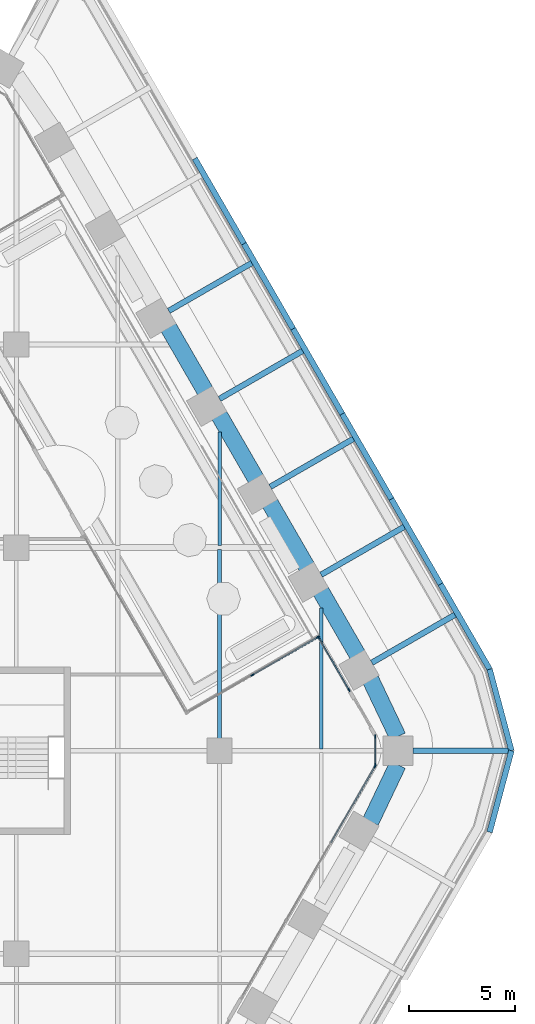
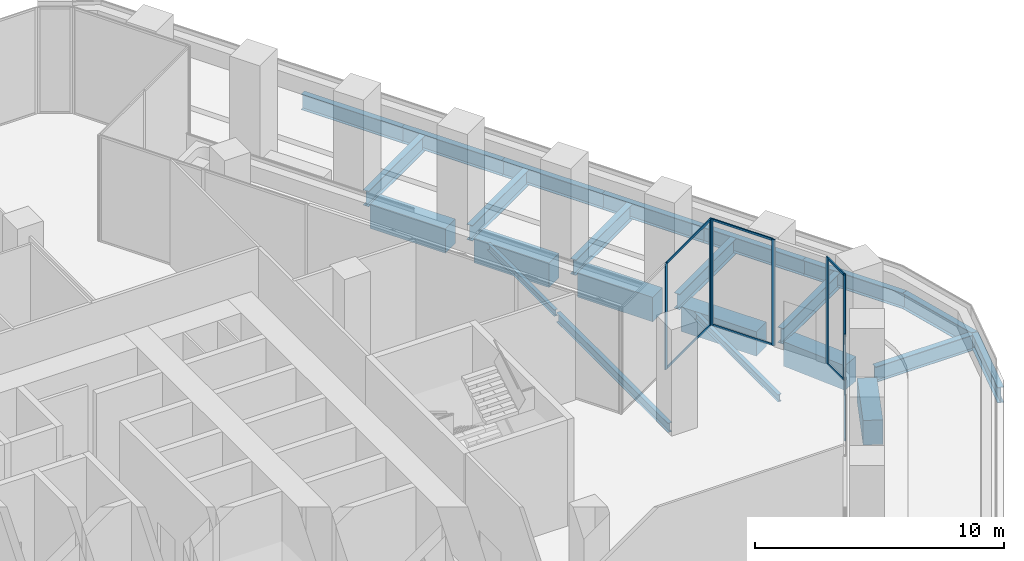
# One storey, part 14 of 32: 23 beams, 15 members, 4 elements without a shape of their own.
"""IFC4 building model written with IfcOpenShell, lengths in metres."""

from ifc_helpers import new_model, si_unit, direction, frame, origin, origin_2d, place, context, subcontext, project, spatial, rectangle, i_section, extrude, material, material_profile, profile_set, type_object, element, aggregate, save


model = new_model("IFC4")

# Units and contexts
model_context = context("Model", 3, precision=1e-05, world=origin(), true_north=direction((0.0, 1.0)))
body_context = subcontext(model_context, "Body", "Model", "MODEL_VIEW")
ifc_project = project(units=[si_unit("LENGTHUNIT", "METRE"), si_unit("AREAUNIT", "SQUARE_METRE"), si_unit("VOLUMEUNIT", "CUBIC_METRE"), si_unit("PLANEANGLEUNIT", "RADIAN"), si_unit("MASSUNIT", "GRAM", prefix="KILO")], contexts=[model_context])

# Site, building, storey
site_placement = place(None, origin())
site = spatial("IfcSite", under=ifc_project, at=site_placement, CompositionType="ELEMENT")
building_placement = place(site_placement, origin())
building = spatial("IfcBuilding", under=site, at=building_placement, Name="Kolab Exchange Tower", CompositionType="ELEMENT")
storey_placement = place(building_placement, frame((0.0, 0.0, 60.89990234375)))
storey = spatial("IfcBuildingStorey", under=building, at=storey_placement, Name="L11", CompositionType="ELEMENT", Elevation=60.89990234375)

# Beams
ifc_material_1 = material(Name="Steel S355", Category="steel")
ifc_material_profile_1 = material_profile(ifc_material_1, i_section(OverallWidth=0.1650390625, OverallDepth=0.31005859375, WebThickness=0.005859375, FlangeThickness=0.009765625, at=origin_2d()), Name="W310X39")
ifc_profile_set_1 = profile_set([ifc_material_profile_1], Name="Steel S355")
beam_type_1 = type_object("IfcBeamType", Name="FLOOR BEAM W310X39", PredefinedType="BEAM", material=ifc_profile_set_1)
beam_1_placement = place(storey_placement, frame((28.800048828125, 9.693603515625, -0.40478515625), z_axis=(0.0, 1.0, 0.0), x_axis=(-1.0, 0.0, 0.0)))
element("IfcBeam", 1, at=beam_1_placement, inside=storey, type_object=beam_type_1, Name="beam/L11/fr/061", PredefinedType="BEAM", context=body_context, shape_type="SweptSolid", body=[
    extrude(i_section(OverallWidth=0.1650390625, OverallDepth=0.31005859375, WebThickness=0.005859375, FlangeThickness=0.009765625, at=origin_2d()), origin(), (0.0, 0.0, 1.0), 5.3740234375),
])
ifc_material_profile_2 = material_profile(ifc_material_1, i_section(OverallWidth=0.1708984375, OverallDepth=0.35498046875, WebThickness=0.007080078125, FlangeThickness=0.01171875, at=origin_2d()), Name="W360X51")
ifc_profile_set_2 = profile_set([ifc_material_profile_2], Name="Steel S355")
beam_type_2 = type_object("IfcBeamType", Name="FLOOR BEAM W360X51", PredefinedType="BEAM", material=ifc_profile_set_2)
beam_2_placement = place(storey_placement, frame((33.60009765625, 0.073974609375, -0.427490234375), z_axis=(0.0, 1.0, 0.0), x_axis=(-1.0, 0.0, 0.0)))
element("IfcBeam", 2, at=beam_2_placement, inside=storey, type_object=beam_type_2, Name="beam/L11/fr/063", PredefinedType="BEAM", context=body_context, shape_type="SweptSolid", body=[
    extrude(i_section(OverallWidth=0.1708984375, OverallDepth=0.35498046875, WebThickness=0.007080078125, FlangeThickness=0.01171875, at=origin_2d()), origin(), (0.0, 0.0, 1.0), 6.679931640625),
])
ifc_material_profile_3 = material_profile(ifc_material_1, i_section(OverallWidth=0.18994140625, OverallDepth=0.45703125, WebThickness=0.009033203125, FlangeThickness=0.014404296875, at=origin_2d()), Name="W460X74")
ifc_profile_set_3 = profile_set([ifc_material_profile_3], Name="Steel S355")
beam_type_3 = type_object("IfcBeamType", Name="FLOOR BEAM W460X74", PredefinedType="BEAM", material=ifc_profile_set_3)
beam_3_placement = place(storey_placement, frame((28.800048828125, 0.56005859375, -0.478515625), z_axis=(0.0, 1.0, 0.0), x_axis=(-1.0, 0.0, 0.0)))
element("IfcBeam", 3, at=beam_3_placement, inside=storey, type_object=beam_type_3, Name="beam/L11/fr/060", PredefinedType="BEAM", context=body_context, shape_type="SweptSolid", body=[
    extrude(i_section(OverallWidth=0.18994140625, OverallDepth=0.45703125, WebThickness=0.009033203125, FlangeThickness=0.014404296875, at=origin_2d()), origin(), (0.0, 0.0, 1.0), 8.946533203125),
])
ifc_material_profile_4 = material_profile(ifc_material_1, i_section(OverallWidth=0.26708984375, OverallDepth=0.761962890625, WebThickness=0.014404296875, FlangeThickness=0.021484375, at=origin_2d()), Name="W760X173")
ifc_profile_set_4 = profile_set([ifc_material_profile_4], Name="Steel S355")
beam_type_4 = type_object("IfcBeamType", Name="FLOOR GIRDER W760X173", PredefinedType="BEAM", material=ifc_profile_set_4)
for number, where, z_axis, x_axis, name in (
    (4, (26.39990234375, 20.78466796875, -0.69091796875), (0.866043881399, 0.499967994467, 0.0), (-0.499967994467, 0.866043881399, 0.0), "beam/L11/ledge/rib-03"),
    (5, (28.800048828125, 16.627685546875, -0.69091796875), (0.866007095043, 0.500031710329, 0.0), (-0.500031710329, 0.866007095043, 0.0), "beam/L11/ledge/rib-04"),
):
    element("IfcBeam", number, at=place(storey_placement, frame(where, z_axis=z_axis, x_axis=x_axis)), inside=storey, type_object=beam_type_4, Name=name, PredefinedType="BEAM", context=body_context, shape_type="SweptSolid", body=[
        extrude(i_section(OverallWidth=0.26708984375, OverallDepth=0.761962890625, WebThickness=0.014404296875, FlangeThickness=0.021484375, at=origin_2d()), origin(), (0.0, 0.0, 1.0), 4.532958984375),
    ])
beam_4_placement = place(storey_placement, frame((31.199951171875, 12.470703125, -0.69091796875), z_axis=(0.866020560687, 0.500008388397, 0.0), x_axis=(-0.500008388397, 0.866020560687, 0.0)))
element("IfcBeam", 6, at=beam_4_placement, inside=storey, type_object=beam_type_4, Name="beam/L11/ledge/rib-05", PredefinedType="BEAM", context=body_context, shape_type="SweptSolid", body=[
    extrude(i_section(OverallWidth=0.26708984375, OverallDepth=0.761962890625, WebThickness=0.014404296875, FlangeThickness=0.021484375, at=origin_2d()), origin(), (0.0, 0.0, 1.0), 4.533203125),
])
for number, where, z_axis, x_axis, name in (
    (7, (33.60009765625, 8.313720703125, -0.69091796875), (0.866007095043, 0.500031710329, 0.0), (-0.500031710329, 0.866007095043, 0.0), "beam/L11/ledge/rib-06"),
    (8, (36.0, 4.156982421875, -0.69091796875), (0.866043881399, 0.499967994467, 0.0), (-0.499967994467, 0.866043881399, 0.0), "beam/L11/ledge/rib-07"),
):
    element("IfcBeam", number, at=place(storey_placement, frame(where, z_axis=z_axis, x_axis=x_axis)), inside=storey, type_object=beam_type_4, Name=name, PredefinedType="BEAM", context=body_context, shape_type="SweptSolid", body=[
        extrude(i_section(OverallWidth=0.26708984375, OverallDepth=0.761962890625, WebThickness=0.014404296875, FlangeThickness=0.021484375, at=origin_2d()), origin(), (0.0, 0.0, 1.0), 4.532958984375),
    ])
beam_5_placement = place(storey_placement, frame((37.935791015625, 0.0, -0.69091796875), z_axis=(1.0, 0.0, 0.0), x_axis=(0.0, 1.0, 0.0)))
element("IfcBeam", 9, at=beam_5_placement, inside=storey, type_object=beam_type_4, Name="beam/L11/ledge/rib-08", PredefinedType="BEAM", context=body_context, shape_type="SweptSolid", body=[
    extrude(i_section(OverallWidth=0.26708984375, OverallDepth=0.761962890625, WebThickness=0.014404296875, FlangeThickness=0.021484375, at=origin_2d()), origin(), (0.0, 0.0, 1.0), 4.533203125),
])
for number, where, z_axis, x_axis, name in (
    (10, (27.630615234375, 27.986083984375, -0.69091796875), (0.500016644261, -0.866015794002, 0.0), (0.866015794002, 0.500016644261, 0.0), "beam/L11/ledge/edge-03"),
    (11, (29.953369140625, 23.963134765625, -0.69091796875), (0.499977226672, -0.866038551572, 0.0), (0.866038551572, 0.499977226672, 0.0), "beam/L11/ledge/edge-04"),
    (12, (32.27587890625, 19.940185546875, -0.69091796875), (0.500016644261, -0.866015794002, 0.0), (0.866015794002, 0.500016644261, 0.0), "beam/L11/ledge/edge-05"),
    (13, (34.5986328125, 15.917236328125, -0.69091796875), (0.499977226672, -0.866038551572, 0.0), (0.866038551572, 0.499977226672, 0.0), "beam/L11/ledge/edge-06"),
    (14, (36.921142578125, 11.894287109375, -0.69091796875), (0.500016644261, -0.866015794002, 0.0), (0.866015794002, 0.500016644261, 0.0), "beam/L11/ledge/edge-07"),
    (15, (39.243896484375, 7.871337890625, -0.69091796875), (0.499977226672, -0.866038551572, 0.0), (0.866038551572, 0.499977226672, 0.0), "beam/L11/ledge/edge-08"),
):
    element("IfcBeam", number, at=place(storey_placement, frame(where, z_axis=z_axis, x_axis=x_axis)), inside=storey, type_object=beam_type_4, Name=name, PredefinedType="BEAM", context=body_context, shape_type="SweptSolid", body=[
        extrude(i_section(OverallWidth=0.26708984375, OverallDepth=0.761962890625, WebThickness=0.014404296875, FlangeThickness=0.021484375, at=origin_2d()), origin(), (0.0, 0.0, 1.0), 4.645263671875),
    ])
for number, where, z_axis, x_axis, name in (
    (16, (41.56640625, 3.848388671875, -0.69091796875), (0.258837161991, -0.965920971701, 0.0), (0.965920971701, 0.258837161991, 0.0), "beam/L11/ledge/edge-09"),
    (17, (42.59765625, 0.0, -0.69091796875), (-0.258837161991, -0.965920971701, 0.0), (0.965920971701, -0.258837161991, 0.0), "beam/L11/ledge/edge-10"),
):
    element("IfcBeam", number, at=place(storey_placement, frame(where, z_axis=z_axis, x_axis=x_axis)), inside=storey, type_object=beam_type_4, Name=name, PredefinedType="BEAM", context=body_context, shape_type="SweptSolid", body=[
        extrude(i_section(OverallWidth=0.26708984375, OverallDepth=0.761962890625, WebThickness=0.014404296875, FlangeThickness=0.021484375, at=origin_2d()), origin(), (0.0, 0.0, 1.0), 3.984130859375),
    ])
ifc_material_2 = material(Name="Concrete C80/95", Category="concrete")
ifc_material_profile_5 = material_profile(ifc_material_2, rectangle(XDim=0.800048828125, YDim=1.199951171875, at=origin_2d()), Name="RC800X1200")
ifc_profile_set_5 = profile_set([ifc_material_profile_5], Name="Concrete C80/95")
beam_type_5 = type_object("IfcBeamType", Name="SPANDREL BEAM 800X1200 C80/95", PredefinedType="BEAM", material=ifc_profile_set_5)
beam_6_placement = place(storey_placement, frame((26.383544921875, 20.012939453125, -0.849853515625), z_axis=(0.500009906705, -0.86601968407, 0.0), x_axis=(0.86601968407, 0.500009906705, 0.0)))
element("IfcBeam", 18, at=beam_6_placement, inside=storey, type_object=beam_type_5, Name="beam/L11/sp/F2-04", PredefinedType="BEAM", context=body_context, shape_type="SweptSolid", body=[
    extrude(rectangle(XDim=0.800048828125, YDim=1.199951171875, at=origin_2d()), origin(), (0.0, 0.0, 1.0), 3.47998046875),
])
for number, where, z_axis, x_axis, name in (
    (19, (28.78369140625, 15.856201171875, -0.849853515625), (0.499979528911, -0.866037222451, 0.0), (0.866037222451, 0.499979528911, 0.0), "beam/L11/sp/F2-05"),
    (20, (31.18359375, 11.69921875, -0.849853515625), (0.499979528911, -0.866037222451, 0.0), (0.866037222451, 0.499979528911, 0.0), "beam/L11/sp/F2-06"),
):
    element("IfcBeam", number, at=place(storey_placement, frame(where, z_axis=z_axis, x_axis=x_axis)), inside=storey, type_object=beam_type_5, Name=name, PredefinedType="BEAM", context=body_context, shape_type="SweptSolid", body=[
        extrude(rectangle(XDim=0.800048828125, YDim=1.199951171875, at=origin_2d()), origin(), (0.0, 0.0, 1.0), 3.480224609375),
    ])
beam_7_placement = place(storey_placement, frame((33.58349609375, 7.542236328125, -0.849853515625), z_axis=(0.500009906705, -0.86601968407, 0.0), x_axis=(0.86601968407, 0.500009906705, 0.0)))
element("IfcBeam", 21, at=beam_7_placement, inside=storey, type_object=beam_type_5, Name="beam/L11/sp/F2-07", PredefinedType="BEAM", context=body_context, shape_type="SweptSolid", body=[
    extrude(rectangle(XDim=0.800048828125, YDim=1.199951171875, at=origin_2d()), origin(), (0.0, 0.0, 1.0), 3.47998046875),
])
for number, where, z_axis, x_axis, name in (
    (22, (35.93798828125, 3.35888671875, -0.849853515625), (0.429555669245, -0.903040379507, 0.0), (0.903040379507, 0.429555669245, 0.0), "beam/L11/sp/F2-08"),
    (23, (37.219970703125, -0.663818359375, -0.849853515625), (-0.429555669245, -0.903040379507, 0.0), (0.903040379507, -0.429555669245, 0.0), "beam/L11/sp/F3-01"),
):
    element("IfcBeam", number, at=place(storey_placement, frame(where, z_axis=z_axis, x_axis=x_axis)), inside=storey, type_object=beam_type_5, Name=name, PredefinedType="BEAM", context=body_context, shape_type="SweptSolid", body=[
        extrude(rectangle(XDim=0.800048828125, YDim=1.199951171875, at=origin_2d()), origin(), (0.0, 0.0, 1.0), 2.984375),
    ])

# Curtain wall, members
ifc_material_3 = material(Name="Aluminium EN AW-6063 T6", Category="aluminium")
curtain_wall_type = type_object("IfcCurtainWallType", Name="UNITISED LOW ZONE CURTAIN WALL", PredefinedType="NOTDEFINED", material=ifc_material_3)
curtain_wall_1_placement = place(storey_placement, origin())
curtain_wall_1 = element("IfcCurtainWall", 24, at=curtain_wall_1_placement, inside=storey, type_object=curtain_wall_type, Name="cw/L11/F2-rr-1", PredefinedType="NOTDEFINED")
ifc_material_profile_6 = material_profile(ifc_material_3, rectangle(XDim=0.06005859375, YDim=0.159912109375, at=origin_2d()), Name="RECT 60X160")
ifc_profile_set_6 = profile_set([ifc_material_profile_6], Name="Aluminium EN AW-6063 T6")
member_type_1 = type_object("IfcMemberType", Name="UNITISED LOW ZONE MULLION 60 X 160", PredefinedType="MULLION", material=ifc_profile_set_6)
member_1_placement = place(storey_placement, frame((30.35400390625, 3.576171875, 0.0), z_axis=(0.0, 0.0, 1.0), x_axis=(-0.499999994423, 0.866025407005, 0.0)))
member_1 = element("IfcMember", 25, at=member_1_placement, type_object=member_type_1, Name="CW1 mullion 2", PredefinedType="MULLION", context=body_context, shape_type="SweptSolid", body=[
    extrude(rectangle(XDim=0.06005859375, YDim=0.159912109375, at=origin_2d()), origin(), (0.0, 0.0, 1.0), 5.2001953125),
])
member_2_placement = place(storey_placement, frame((33.44580078125, 5.361083984375, 0.0), z_axis=(0.0, 0.0, 1.0), x_axis=(-0.499999994423, 0.866025407005, 0.0)))
member_2 = element("IfcMember", 26, at=member_2_placement, type_object=member_type_1, Name="CW1 mullion 3", PredefinedType="MULLION", context=body_context, shape_type="SweptSolid", body=[
    extrude(rectangle(XDim=0.06005859375, YDim=0.159912109375, at=origin_2d()), origin(), (0.0, 0.0, 1.0), 5.2001953125),
])

curtain_wall_2_placement = place(storey_placement, origin())
curtain_wall_2 = element("IfcCurtainWall", 27, at=curtain_wall_2_placement, inside=storey, type_object=curtain_wall_type, Name="cw/L11/F2-r-1", PredefinedType="NOTDEFINED")
member_3_placement = place(storey_placement, frame((33.486572265625, 5.35009765625, 0.0), z_axis=(0.0, 0.0, 1.0), x_axis=(0.866025459373, 0.499999903717, 0.0)))
member_3 = element("IfcMember", 28, at=member_3_placement, type_object=member_type_1, Name="CW1 mullion 1", PredefinedType="MULLION", context=body_context, shape_type="SweptSolid", body=[
    extrude(rectangle(XDim=0.06005859375, YDim=0.159912109375, at=origin_2d()), origin(), (0.0, 0.0, 1.0), 5.2001953125),
])
member_4_placement = place(storey_placement, frame((34.920654296875, 2.866455078125, 0.0), z_axis=(0.0, 0.0, 1.0), x_axis=(0.866025459373, 0.499999903717, 0.0)))
member_4 = element("IfcMember", 29, at=member_4_placement, type_object=member_type_1, Name="CW1 mullion 2", PredefinedType="MULLION", context=body_context, shape_type="SweptSolid", body=[
    extrude(rectangle(XDim=0.06005859375, YDim=0.159912109375, at=origin_2d()), origin(), (0.0, 0.0, 1.0), 5.2001953125),
])

# Curtain wall, member
curtain_wall_3_placement = place(storey_placement, origin())
curtain_wall_3 = element("IfcCurtainWall", 30, at=curtain_wall_3_placement, inside=storey, type_object=curtain_wall_type, Name="cw/L11/F3-1", PredefinedType="NOTDEFINED")
member_5_placement = place(storey_placement, frame((36.150634765625, -0.736083984375, 0.0), z_axis=(0.0, 0.0, 1.0), x_axis=(0.866025427826, -0.499999958358, 0.0)))
member_5 = element("IfcMember", 31, at=member_5_placement, type_object=member_type_1, Name="CW1 mullion 1", PredefinedType="MULLION", context=body_context, shape_type="SweptSolid", body=[
    extrude(rectangle(XDim=0.06005859375, YDim=0.159912109375, at=origin_2d()), origin(), (0.0, 0.0, 1.0), 5.2001953125),
])

# Curtain wall, members
curtain_wall_4_placement = place(storey_placement, origin())
curtain_wall_4 = element("IfcCurtainWall", 32, at=curtain_wall_4_placement, inside=storey, type_object=curtain_wall_type, Name="cw/L11/F2F3-corner", PredefinedType="NOTDEFINED")
member_6_placement = place(storey_placement, frame((36.165771484375, 0.679931640625, 0.0), z_axis=(0.0, 0.0, 1.0), x_axis=(1.0, 0.0, 0.0)))
member_6 = element("IfcMember", 33, at=member_6_placement, type_object=member_type_1, Name="CW1 mullion 1", PredefinedType="MULLION", context=body_context, shape_type="SweptSolid", body=[
    extrude(rectangle(XDim=0.06005859375, YDim=0.159912109375, at=origin_2d()), origin(), (0.0, 0.0, 1.0), 5.2001953125),
])
member_7_placement = place(storey_placement, frame((36.165771484375, -0.679931640625, 0.0), z_axis=(0.0, 0.0, 1.0), x_axis=(1.0, 0.0, 0.0)))
member_7 = element("IfcMember", 34, at=member_7_placement, type_object=member_type_1, Name="CW1 mullion 2", PredefinedType="MULLION", context=body_context, shape_type="SweptSolid", body=[
    extrude(rectangle(XDim=0.06005859375, YDim=0.159912109375, at=origin_2d()), origin(), (0.0, 0.0, 1.0), 5.2001953125),
])

# Member
ifc_material_profile_7 = material_profile(ifc_material_3, rectangle(XDim=0.06005859375, YDim=0.10009765625, at=origin_2d()), Name="RECT 60X100")
ifc_profile_set_7 = profile_set([ifc_material_profile_7], Name="Aluminium EN AW-6063 T6")
member_type_2 = type_object("IfcMemberType", Name="UNITISED LOW ZONE TRANSOM 60 X 100", PredefinedType="USERDEFINED", material=ifc_profile_set_7)
member_8_placement = place(storey_placement, frame((30.3798828125, 3.591064453125, 0.030029296875), z_axis=(0.866013001128, 0.500021481416, 0.0), x_axis=(-0.500021481416, 0.866013001128, 0.0)))
member_8 = element("IfcMember", 35, at=member_8_placement, type_object=member_type_2, Name="CW1 transom 2.1", ObjectType="TRANSOM", PredefinedType="USERDEFINED", context=body_context, shape_type="SweptSolid", body=[
    extrude(rectangle(XDim=0.06005859375, YDim=0.10009765625, at=origin_2d()), origin(), (0.0, 0.0, 1.0), 3.510009765625),
])

member_9_placement = place(storey_placement, frame((30.3798828125, 3.591064453125, 5.170166015625), z_axis=(0.866013001128, 0.500021481416, 0.0), x_axis=(-0.500021481416, 0.866013001128, 0.0)))
member_9 = element("IfcMember", 36, at=member_9_placement, type_object=member_type_2, Name="CW1 transom 2.2", ObjectType="TRANSOM", PredefinedType="USERDEFINED", context=body_context, shape_type="SweptSolid", body=[
    extrude(rectangle(XDim=0.06005859375, YDim=0.10009765625, at=origin_2d()), origin(), (0.0, 0.0, 1.0), 3.510009765625),
])

aggregate(curtain_wall_1, [member_1, member_2, member_8, member_9])

member_10_placement = place(storey_placement, frame((33.501708984375, 5.32421875, 0.030029296875), z_axis=(0.500000910839, -0.866024877911, 0.0), x_axis=(0.866024877911, 0.500000910839, 0.0)))
member_10 = element("IfcMember", 37, at=member_10_placement, type_object=member_type_2, Name="CW1 transom 1.1", ObjectType="TRANSOM", PredefinedType="USERDEFINED", context=body_context, shape_type="SweptSolid", body=[
    extrude(rectangle(XDim=0.06005859375, YDim=0.10009765625, at=origin_2d()), origin(), (0.0, 0.0, 1.0), 2.80810546875),
])

member_11_placement = place(storey_placement, frame((33.501708984375, 5.32421875, 5.170166015625), z_axis=(0.500000910839, -0.866024877911, 0.0), x_axis=(0.866024877911, 0.500000910839, 0.0)))
member_11 = element("IfcMember", 38, at=member_11_placement, type_object=member_type_2, Name="CW1 transom 1.2", ObjectType="TRANSOM", PredefinedType="USERDEFINED", context=body_context, shape_type="SweptSolid", body=[
    extrude(rectangle(XDim=0.06005859375, YDim=0.10009765625, at=origin_2d()), origin(), (0.0, 0.0, 1.0), 2.80810546875),
])

aggregate(curtain_wall_2, [member_3, member_4, member_10, member_11])

member_12_placement = place(storey_placement, frame((36.1357421875, -0.761962890625, 0.030029296875), z_axis=(-0.500027577057, -0.866009481578, 0.0), x_axis=(0.866009481578, -0.500027577057, 0.0)))
member_12 = element("IfcMember", 39, at=member_12_placement, type_object=member_type_2, Name="CW1 transom 1.1", ObjectType="TRANSOM", PredefinedType="USERDEFINED", context=body_context, shape_type="SweptSolid", body=[
    extrude(rectangle(XDim=0.06005859375, YDim=0.10009765625, at=origin_2d()), origin(), (0.0, 0.0, 1.0), 4.132568359375),
])

member_13_placement = place(storey_placement, frame((36.1357421875, -0.761962890625, 5.170166015625), z_axis=(-0.500027577057, -0.866009481578, 0.0), x_axis=(0.866009481578, -0.500027577057, 0.0)))
member_13 = element("IfcMember", 40, at=member_13_placement, type_object=member_type_2, Name="CW1 transom 1.2", ObjectType="TRANSOM", PredefinedType="USERDEFINED", context=body_context, shape_type="SweptSolid", body=[
    extrude(rectangle(XDim=0.06005859375, YDim=0.10009765625, at=origin_2d()), origin(), (0.0, 0.0, 1.0), 4.132568359375),
])

aggregate(curtain_wall_3, [member_5, member_12, member_13])

member_14_placement = place(storey_placement, frame((36.165771484375, 0.64990234375, 0.030029296875), z_axis=(0.0, -1.0, 0.0), x_axis=(1.0, 0.0, 0.0)))
member_14 = element("IfcMember", 41, at=member_14_placement, type_object=member_type_2, Name="CW1 transom 1.1", ObjectType="TRANSOM", PredefinedType="USERDEFINED", context=body_context, shape_type="SweptSolid", body=[
    extrude(rectangle(XDim=0.06005859375, YDim=0.10009765625, at=origin_2d()), origin(), (0.0, 0.0, 1.0), 1.2998046875),
])

member_15_placement = place(storey_placement, frame((36.165771484375, 0.64990234375, 5.170166015625), z_axis=(0.0, -1.0, 0.0), x_axis=(1.0, 0.0, 0.0)))
member_15 = element("IfcMember", 42, at=member_15_placement, type_object=member_type_2, Name="CW1 transom 1.2", ObjectType="TRANSOM", PredefinedType="USERDEFINED", context=body_context, shape_type="SweptSolid", body=[
    extrude(rectangle(XDim=0.06005859375, YDim=0.10009765625, at=origin_2d()), origin(), (0.0, 0.0, 1.0), 1.2998046875),
])

aggregate(curtain_wall_4, [member_6, member_7, member_14, member_15])

save(model, "model.ifc")
